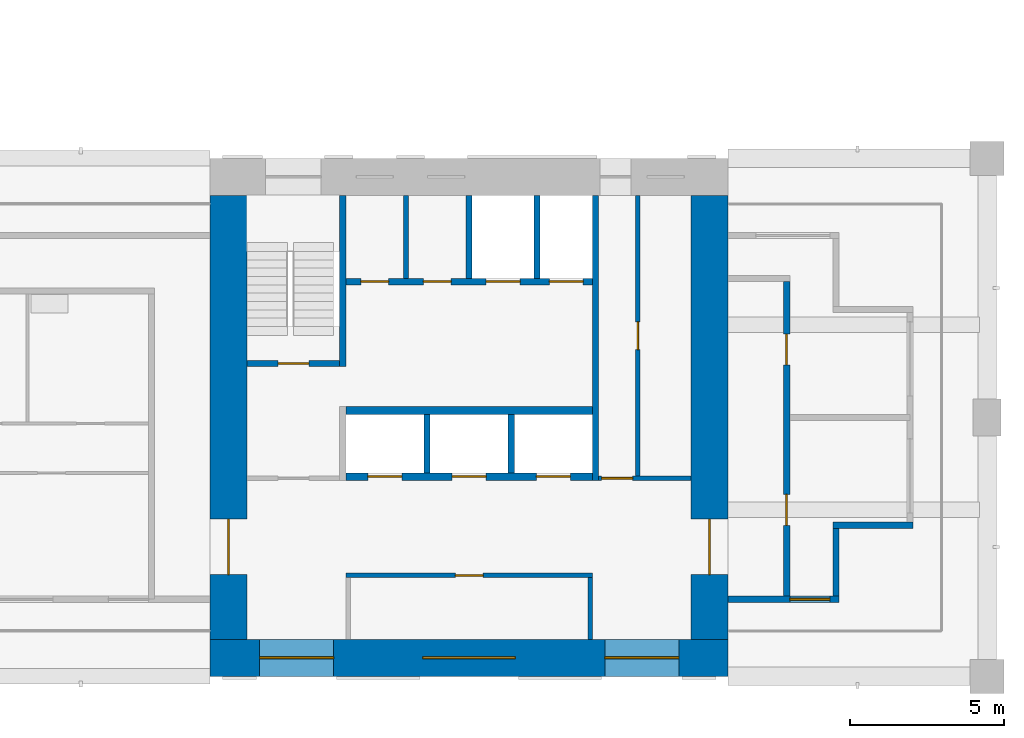
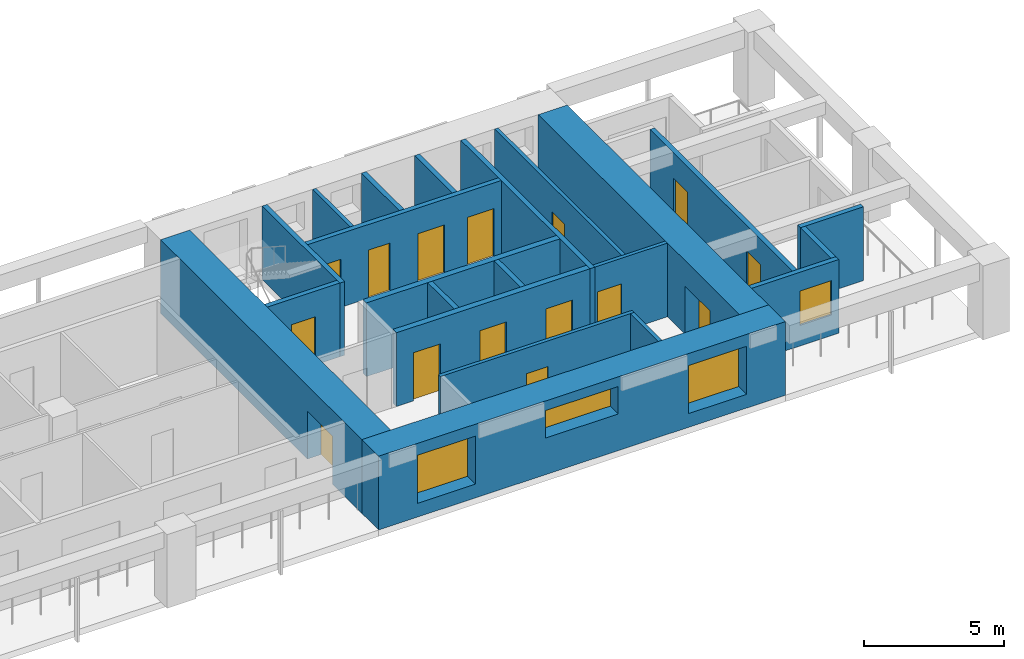
# One storey, part 4 of 10: 22 walls, 15 doors, 4 windows, 19 openings.
"""IFC4 building model written with IfcOpenShell, lengths in metres."""

from ifc_helpers import new_model, si_unit, direction, frame, frame_2d, origin, place, context, subcontext, project, spatial, rectangle, extrude, material, layer, layer_set, type_object, element, fill, save


model = new_model("IFC4")

# Units and contexts
model_context = context("Model", 3, precision=1e-05, world=origin(), true_north=direction((0.0, 1.0)))
body_context = subcontext(model_context, "Body", "Model", "MODEL_VIEW")
ifc_project = project(units=[si_unit("LENGTHUNIT", "METRE"), si_unit("AREAUNIT", "SQUARE_METRE"), si_unit("VOLUMEUNIT", "CUBIC_METRE"), si_unit("PLANEANGLEUNIT", "RADIAN"), si_unit("MASSUNIT", "GRAM", prefix="KILO")], contexts=[model_context])

# Site, building, storey
site_placement = place(None, origin())
site = spatial("IfcSite", under=ifc_project, at=site_placement, CompositionType="ELEMENT")
building_placement = place(site_placement, origin())
building = spatial("IfcBuilding", under=site, at=building_placement, Name="Vermilion Gate Residences", CompositionType="ELEMENT")
storey_placement = place(building_placement, frame((0.0, 0.0, 168.699951171875)))
storey = spatial("IfcBuildingStorey", under=building, at=storey_placement, Name="L43", CompositionType="ELEMENT", Elevation=168.699951171875)

# Wall
ifc_material_1 = material(Name="Masonry blockwork", Category="masonry")
ifc_layer_1 = layer(ifc_material_1, 0.14990234375)
ifc_layer_set_1 = layer_set([ifc_layer_1], Name="BLOCKWORK PARTITION 150 EI 120")
wall_type_1 = type_object("IfcWallType", Name="BLOCKWORK PARTITION 150 EI 120", PredefinedType="PARTITIONING", material=ifc_layer_set_1)
wall_1_placement = place(storey_placement, frame((54.324951171875, 9.60009765625, 0.0), z_axis=(0.0, 0.0, 1.0), x_axis=(0.0, 1.0, 0.0)))
element("IfcWall", 1, at=wall_1_placement, inside=storey, type_object=wall_type_1, Name="Core room partition A43-RW-E", PredefinedType="PARTITIONING", context=body_context, shape_type="SweptSolid", body=[
    extrude(rectangle(XDim=2.0, YDim=0.14990234375, at=frame_2d((1.0, 0.0))), origin(), (0.0, 0.0, 1.0), 3.219970703125),
])

# Wall, opening, door
wall_2_placement = place(storey_placement, frame((46.39990234375, 11.675048828125, 0.0), z_axis=(0.0, 0.0, 1.0), x_axis=(1.0, 0.0, 0.0)))
wall_2 = element("IfcWall", 2, at=wall_2_placement, inside=storey, type_object=wall_type_1, Name="Core room partition A43-LR-F", PredefinedType="PARTITIONING", context=body_context, shape_type="SweptSolid", body=[
    extrude(rectangle(XDim=8.0, YDim=0.14990234375, at=frame_2d((4.0, 0.0))), origin(), (0.0, 0.0, 1.0), 3.219970703125),
])
opening_1_placement = place(wall_2_placement, frame((3.550048828125, 0.0, 0.0)))
opening_1 = element("IfcOpeningElement", 3, at=opening_1_placement, cuts=wall_2, Name="Opening DK43003", PredefinedType="OPENING", context=body_context, shape_type="SweptSolid", body=[
    extrude(rectangle(XDim=0.89990234375, YDim=2.10009765625, at=frame_2d((0.449951171875, 1.050048828125))), frame((0.0, 0.0849609375, 0.0), z_axis=(0.0, -1.0, 0.0), x_axis=(1.0, 0.0, 0.0)), (0.0, 0.0, 1.0), 0.169921875),
])
ifc_material_2 = material(Name="Steel", Category="steel")
door_type_1 = type_object("IfcDoorType", Name="SERVICE ROOM DOOR FD60 900 X 2100", OperationType="SINGLE_SWING_LEFT", PredefinedType="DOOR", material=ifc_material_2)
door_1_placement = place(opening_1_placement, frame((0.89990234375, 0.0, 0.0), z_axis=(0.0, 0.0, 1.0), x_axis=(-1.0, 0.0, 0.0)))
door_1 = element("IfcDoor", 4, at=door_1_placement, inside=storey, type_object=door_type_1, Name="Housekeeping store A43", OperationType="SINGLE_SWING_RIGHT", OverallHeight=2.10009765625, OverallWidth=0.89990234375, PredefinedType="DOOR", context=body_context, shape_type="SweptSolid", body=[
    extrude(rectangle(XDim=0.89990234375, YDim=2.10009765625, at=frame_2d((0.449951171875, 1.050048828125))), frame((0.0, 0.02490234375, 0.0), z_axis=(0.0, -1.0, 0.0), x_axis=(1.0, 0.0, 0.0)), (0.0, 0.0, 1.0), 0.050048828125),
])
fill(opening_1, door_1)

# Wall
wall_3_placement = place(storey_placement, frame((48.35009765625, 21.300048828125, 0.0), z_axis=(0.0, 0.0, 1.0), x_axis=(0.0, 1.0, 0.0)))
element("IfcWall", 5, at=wall_3_placement, inside=storey, type_object=wall_type_1, Name="Core room partition A43-NR-P0", PredefinedType="PARTITIONING", context=body_context, shape_type="SweptSolid", body=[
    extrude(rectangle(XDim=2.699951171875, YDim=0.14990234375, at=frame_2d((1.35009765625, 0.0))), origin(), (0.0, 0.0, 1.0), 3.219970703125),
])

# Wall, opening, door
wall_4_placement = place(storey_placement, frame((54.60009765625, 14.824951171875, 0.0), z_axis=(0.0, 0.0, 1.0), x_axis=(1.0, 0.0, 0.0)))
wall_4 = element("IfcWall", 6, at=wall_4_placement, inside=storey, type_object=wall_type_1, Name="Core room partition A43-ES-S", PredefinedType="PARTITIONING", context=body_context, shape_type="SweptSolid", body=[
    extrude(rectangle(XDim=3.0, YDim=0.14990234375, at=frame_2d((1.5, 0.0))), origin(), (0.0, 0.0, 1.0), 3.219970703125),
])
opening_2_placement = place(wall_4_placement, frame((0.10009765625, 0.0, 0.0)))
opening_2 = element("IfcOpeningElement", 7, at=opening_2_placement, cuts=wall_4, Name="Opening DK43013", PredefinedType="OPENING", context=body_context, shape_type="SweptSolid", body=[
    extrude(rectangle(XDim=1.0, YDim=2.10009765625, at=frame_2d((0.5, 1.050048828125))), frame((0.0, 0.0849609375, 0.0), z_axis=(0.0, -1.0, 0.0), x_axis=(1.0, 0.0, 0.0)), (0.0, 0.0, 1.0), 0.169921875),
])
ifc_material_3 = material(Name="Steel", Category="steel")
door_type_2 = type_object("IfcDoorType", Name="FIRE DOOR FD60 1000 X 2100", OperationType="SINGLE_SWING_LEFT", PredefinedType="DOOR", material=ifc_material_3)
door_2_placement = place(opening_2_placement, frame((1.0, 0.0, 0.0), z_axis=(0.0, 0.0, 1.0), x_axis=(-1.0, 0.0, 0.0)))
door_2 = element("IfcDoor", 8, at=door_2_placement, inside=storey, type_object=door_type_2, Name="Service corridor door A43", OperationType="SINGLE_SWING_LEFT", OverallHeight=2.10009765625, OverallWidth=1.0, PredefinedType="DOOR", context=body_context, shape_type="SweptSolid", body=[
    extrude(rectangle(XDim=1.0, YDim=2.10009765625, at=frame_2d((0.5, 1.050048828125))), frame((0.0, 0.02490234375, 0.0), z_axis=(0.0, -1.0, 0.0), x_axis=(1.0, 0.0, 0.0)), (0.0, 0.0, 1.0), 0.050048828125),
])
fill(opening_2, door_2)

wall_5_placement = place(storey_placement, frame((55.875, 14.89990234375, 0.0), z_axis=(0.0, 0.0, 1.0), x_axis=(0.0, 1.0, 0.0)))
wall_5 = element("IfcWall", 9, at=wall_5_placement, inside=storey, type_object=wall_type_1, Name="Core room partition A43-ES-W", PredefinedType="PARTITIONING", context=body_context, shape_type="SweptSolid", body=[
    extrude(rectangle(XDim=9.10009765625, YDim=0.14990234375, at=frame_2d((4.550048828125, 0.0))), origin(), (0.0, 0.0, 1.0), 3.219970703125),
])
opening_3_placement = place(wall_5_placement, frame((4.10009765625, 0.0, 0.0)))
opening_3 = element("IfcOpeningElement", 10, at=opening_3_placement, cuts=wall_5, Name="Opening DK43014", PredefinedType="OPENING", context=body_context, shape_type="SweptSolid", body=[
    extrude(rectangle(XDim=0.89990234375, YDim=2.10009765625, at=frame_2d((0.449951171875, 1.050048828125))), frame((0.0, 0.0849609375, 0.0), z_axis=(0.0, -1.0, 0.0), x_axis=(1.0, 0.0, 0.0)), (0.0, 0.0, 1.0), 0.169921875),
])
door_3_placement = place(opening_3_placement, frame((0.89990234375, 0.0, 0.0), z_axis=(0.0, 0.0, 1.0), x_axis=(-1.0, 0.0, 0.0)))
door_3 = element("IfcDoor", 11, at=door_3_placement, inside=storey, type_object=door_type_1, Name="Electrical room A43", OperationType="SINGLE_SWING_RIGHT", OverallHeight=2.10009765625, OverallWidth=0.89990234375, PredefinedType="DOOR", context=body_context, shape_type="SweptSolid", body=[
    extrude(rectangle(XDim=0.89990234375, YDim=2.10009765625, at=frame_2d((0.449951171875, 1.050048828125))), frame((0.0, 0.02490234375, 0.0), z_axis=(0.0, -1.0, 0.0), x_axis=(1.0, 0.0, 0.0)), (0.0, 0.0, 1.0), 0.050048828125),
])
fill(opening_3, door_3)

# Wall, opening, window
ifc_material_4 = material(Name="Insulated steel stud wall with terracotta rainscreen", Category="masonry")
ifc_layer_2 = layer(ifc_material_4, 0.199951171875)
ifc_layer_set_2 = layer_set([ifc_layer_2], Name="EXTERNAL WALL 200 TERRACOTTA RAINSCREEN")
wall_type_2 = type_object("IfcWallType", Name="EXTERNAL WALL 200 TERRACOTTA RAINSCREEN", PredefinedType="SOLIDWALL", material=ifc_layer_set_2)
wall_6_placement = place(storey_placement, frame((58.800048828125, 10.89990234375, 0.0), z_axis=(0.0, 0.0, 1.0), x_axis=(1.0, 0.0, 0.0)))
wall_6 = element("IfcWall", 12, at=wall_6_placement, inside=storey, type_object=wall_type_2, Name="External wall", PredefinedType="SOLIDWALL", context=body_context, shape_type="SweptSolid", body=[
    extrude(rectangle(XDim=3.599853515625, YDim=0.199951171875, at=frame_2d((1.7998046875, 0.0))), origin(), (0.0, 0.0, 1.0), 3.219970703125),
])
opening_4_placement = place(wall_6_placement, frame((2.0, 0.0, 0.89990234375)))
opening_4 = element("IfcOpeningElement", 13, at=opening_4_placement, cuts=wall_6, Name="Opening WE43015", PredefinedType="OPENING", context=body_context, shape_type="SweptSolid", body=[
    extrude(rectangle(XDim=1.300048828125, YDim=1.5, at=frame_2d((0.64990234375, 0.75))), frame((0.0, 0.10986328125, 0.0), z_axis=(0.0, -1.0, 0.0), x_axis=(1.0, 0.0, 0.0)), (0.0, 0.0, 1.0), 0.219970703125),
])
ifc_material_5 = material(Name="Aluminium and clear glass", Category="aluminium")
window_type_1 = type_object("IfcWindowType", Name="WINDOW 1300 X 1500", PartitioningType="SINGLE_PANEL", PredefinedType="WINDOW", material=ifc_material_5)
window_1_placement = place(opening_4_placement, origin())
window_1 = element("IfcWindow", 14, at=window_1_placement, inside=storey, type_object=window_type_1, Name="Window", OverallHeight=1.5, OverallWidth=1.300048828125, PartitioningType="SINGLE_PANEL", PredefinedType="WINDOW", context=body_context, shape_type="SweptSolid", body=[
    extrude(rectangle(XDim=1.300048828125, YDim=1.5, at=frame_2d((0.64990234375, 0.75))), frame((0.0, 0.030029296875, 0.0), z_axis=(0.0, -1.0, 0.0), x_axis=(1.0, 0.0, 0.0)), (0.0, 0.0, 1.0), 0.06005859375),
])
fill(opening_4, window_1)

# Walls
wall_7_placement = place(storey_placement, frame((62.300048828125, 11.0, 0.0), z_axis=(0.0, 0.0, 1.0), x_axis=(0.0, 1.0, 0.0)))
element("IfcWall", 15, at=wall_7_placement, inside=storey, type_object=wall_type_2, Name="External wall", PredefinedType="SOLIDWALL", context=body_context, shape_type="SweptSolid", body=[
    extrude(rectangle(XDim=2.199951171875, YDim=0.199951171875, at=frame_2d((1.10009765625, 0.0))), origin(), (0.0, 0.0, 1.0), 3.219970703125),
])
wall_8_placement = place(storey_placement, frame((62.199951171875, 13.300048828125, 0.0), z_axis=(0.0, 0.0, 1.0), x_axis=(1.0, 0.0, 0.0)))
element("IfcWall", 16, at=wall_8_placement, inside=storey, type_object=wall_type_2, Name="External wall", PredefinedType="SOLIDWALL", context=body_context, shape_type="SweptSolid", body=[
    extrude(rectangle(XDim=2.60009765625, YDim=0.199951171875, at=frame_2d((1.300048828125, 0.0))), origin(), (0.0, 0.0, 1.0), 3.219970703125),
])

# Wall, openings, doors
ifc_material_6 = material(Name="Fire-rated plasterboard on steel studs", Category="steel")
ifc_layer_3 = layer(ifc_material_6, 0.199951171875)
ifc_layer_set_3 = layer_set([ifc_layer_3], Name="PARTY WALL 200 EI 120")
wall_type_3 = type_object("IfcWallType", Name="PARTY WALL 200 EI 120", PredefinedType="PARTITIONING", material=ifc_layer_set_3)
wall_9_placement = place(storey_placement, frame((60.699951171875, 10.89990234375, 0.0), z_axis=(0.0, 0.0, 1.0), x_axis=(0.0, 1.0, 0.0)))
wall_9 = element("IfcWall", 17, at=wall_9_placement, inside=storey, type_object=wall_type_3, Name="Party and corridor wall", PredefinedType="PARTITIONING", context=body_context, shape_type="SweptSolid", body=[
    extrude(rectangle(XDim=10.300048828125, YDim=0.199951171875, at=frame_2d((5.14990234375, 0.0))), origin(), (0.0, 0.0, 1.0), 3.219970703125),
])
opening_5_placement = place(wall_9_placement, frame((2.39990234375, 0.0, 0.0)))
opening_5 = element("IfcOpeningElement", 18, at=opening_5_placement, cuts=wall_9, Name="Opening DA43026", PredefinedType="OPENING", context=body_context, shape_type="SweptSolid", body=[
    extrude(rectangle(XDim=1.0, YDim=2.10009765625, at=frame_2d((0.5, 1.050048828125))), frame((0.0, 0.10986328125, 0.0), z_axis=(0.0, -1.0, 0.0), x_axis=(1.0, 0.0, 0.0)), (0.0, 0.0, 1.0), 0.219970703125),
])
opening_6_placement = place(wall_9_placement, frame((7.60009765625, 0.0, 0.0)))
opening_6 = element("IfcOpeningElement", 19, at=opening_6_placement, cuts=wall_9, Name="Opening DA43027", PredefinedType="OPENING", context=body_context, shape_type="SweptSolid", body=[
    extrude(rectangle(XDim=1.0, YDim=2.10009765625, at=frame_2d((0.5, 1.050048828125))), frame((0.0, 0.10986328125, 0.0), z_axis=(0.0, -1.0, 0.0), x_axis=(1.0, 0.0, 0.0)), (0.0, 0.0, 1.0), 0.219970703125),
])
ifc_material_7 = material(Name="Steel", Category="steel")
door_type_3 = type_object("IfcDoorType", Name="ENTRANCE DOOR 1000 X 2100 FD30", OperationType="SINGLE_SWING_LEFT", PredefinedType="DOOR", material=ifc_material_7)
door_4_placement = place(opening_5_placement, frame((1.0, 0.0, 0.0), z_axis=(0.0, 0.0, 1.0), x_axis=(-1.0, 0.0, 0.0)))
door_4 = element("IfcDoor", 20, at=door_4_placement, inside=storey, type_object=door_type_3, Name="Entrance door", OperationType="SINGLE_SWING_RIGHT", OverallHeight=2.10009765625, OverallWidth=1.0, PredefinedType="DOOR", context=body_context, shape_type="SweptSolid", body=[
    extrude(rectangle(XDim=1.0, YDim=2.10009765625, at=frame_2d((0.5, 1.050048828125))), frame((0.0, 0.02490234375, 0.0), z_axis=(0.0, -1.0, 0.0), x_axis=(1.0, 0.0, 0.0)), (0.0, 0.0, 1.0), 0.050048828125),
])
fill(opening_5, door_4)
door_5_placement = place(opening_6_placement, frame((1.0, 0.0, 0.0), z_axis=(0.0, 0.0, 1.0), x_axis=(-1.0, 0.0, 0.0)))
door_5 = element("IfcDoor", 21, at=door_5_placement, inside=storey, type_object=door_type_3, Name="Entrance door", OperationType="SINGLE_SWING_RIGHT", OverallHeight=2.10009765625, OverallWidth=1.0, PredefinedType="DOOR", context=body_context, shape_type="SweptSolid", body=[
    extrude(rectangle(XDim=1.0, YDim=2.10009765625, at=frame_2d((0.5, 1.050048828125))), frame((0.0, 0.02490234375, 0.0), z_axis=(0.0, -1.0, 0.0), x_axis=(1.0, 0.0, 0.0)), (0.0, 0.0, 1.0), 0.050048828125),
])
fill(opening_6, door_5)

# Walls
ifc_material_8 = material(Name="Concrete C60", Category="concrete")
ifc_layer_4 = layer(ifc_material_8, 0.199951171875)
ifc_layer_set_4 = layer_set([ifc_layer_4], Name="RC CORE INTERNAL WALL 200 C60")
wall_type_4 = type_object("IfcWallType", Name="RC CORE INTERNAL WALL 200 C60", PredefinedType="SHEAR", material=ifc_layer_set_4)
for number, where, z_axis, x_axis, name in (
    (22, (49.033447265625, 15.0, 0.0), (0.0, 0.0, 1.0), (0.0, 1.0, 0.0), "Core internal wall A43-HR-D1"),
    (23, (51.7666015625, 15.0, 0.0), (0.0, 0.0, 1.0), (0.0, 1.0, 0.0), "Core internal wall A43-HR-D2"),
):
    element("IfcWall", number, at=place(storey_placement, frame(where, z_axis=z_axis, x_axis=x_axis)), inside=storey, type_object=wall_type_4, Name=name, PredefinedType="SHEAR", context=body_context, shape_type="SweptSolid", body=[
        extrude(rectangle(XDim=1.89990234375, YDim=0.199951171875, at=frame_2d((0.949951171875, 0.0))), origin(), (0.0, 0.0, 1.0), 3.219970703125),
    ])
for number, where, z_axis, x_axis, name in (
    (24, (50.39990234375, 21.300048828125, 0.0), (0.0, 0.0, 1.0), (0.0, 1.0, 0.0), "Core internal wall A43-FF-D0"),
    (25, (52.60009765625, 21.300048828125, 0.0), (0.0, 0.0, 1.0), (0.0, 1.0, 0.0), "Core internal wall A43-FF-D1"),
):
    element("IfcWall", number, at=place(storey_placement, frame(where, z_axis=z_axis, x_axis=x_axis)), inside=storey, type_object=wall_type_4, Name=name, PredefinedType="SHEAR", context=body_context, shape_type="SweptSolid", body=[
        extrude(rectangle(XDim=2.699951171875, YDim=0.199951171875, at=frame_2d((1.35009765625, 0.0))), origin(), (0.0, 0.0, 1.0), 3.219970703125),
    ])

# Wall, openings, doors
wall_10_placement = place(storey_placement, frame((46.39990234375, 21.199951171875, 0.0), z_axis=(0.0, 0.0, 1.0), x_axis=(1.0, 0.0, 0.0)))
wall_10 = element("IfcWall", 26, at=wall_10_placement, inside=storey, type_object=wall_type_4, Name="Core internal wall A43-FF-F", PredefinedType="SHEAR", context=body_context, shape_type="SweptSolid", body=[
    extrude(rectangle(XDim=8.0, YDim=0.199951171875, at=frame_2d((4.0, 0.0))), origin(), (0.0, 0.0, 1.0), 3.219970703125),
])
opening_7_placement = place(wall_10_placement, frame((0.487548828125, 0.0, 0.0)))
opening_7 = element("IfcOpeningElement", 27, at=opening_7_placement, cuts=wall_10, Name="Opening DK43007", PredefinedType="OPENING", context=body_context, shape_type="SweptSolid", body=[
    extrude(rectangle(XDim=0.89990234375, YDim=2.10009765625, at=frame_2d((0.449951171875, 1.050048828125))), frame((0.0, 0.10986328125, 0.0), z_axis=(0.0, -1.0, 0.0), x_axis=(1.0, 0.0, 0.0)), (0.0, 0.0, 1.0), 0.219970703125),
])
opening_8_placement = place(wall_10_placement, frame((2.512451171875, 0.0, 0.0)))
opening_8 = element("IfcOpeningElement", 28, at=opening_8_placement, cuts=wall_10, Name="Opening DK43008", PredefinedType="OPENING", context=body_context, shape_type="SweptSolid", body=[
    extrude(rectangle(XDim=0.89990234375, YDim=2.10009765625, at=frame_2d((0.449951171875, 1.050048828125))), frame((0.0, 0.10986328125, 0.0), z_axis=(0.0, -1.0, 0.0), x_axis=(1.0, 0.0, 0.0)), (0.0, 0.0, 1.0), 0.219970703125),
])
opening_9_placement = place(wall_10_placement, frame((4.550048828125, 0.0, 0.0)))
opening_9 = element("IfcOpeningElement", 29, at=opening_9_placement, cuts=wall_10, Name="Opening LD", PredefinedType="OPENING", context=body_context, shape_type="SweptSolid", body=[
    extrude(rectangle(XDim=1.10009765625, YDim=2.10009765625, at=frame_2d((0.550048828125, 1.050048828125))), frame((0.0, 0.10986328125, 0.0), z_axis=(0.0, -1.0, 0.0), x_axis=(1.0, 0.0, 0.0)), (0.0, 0.0, 1.0), 0.219970703125),
])
opening_10_placement = place(wall_10_placement, frame((6.60009765625, 0.0, 0.0)))
opening_10 = element("IfcOpeningElement", 30, at=opening_10_placement, cuts=wall_10, Name="Opening LD", PredefinedType="OPENING", context=body_context, shape_type="SweptSolid", body=[
    extrude(rectangle(XDim=1.10009765625, YDim=2.10009765625, at=frame_2d((0.550048828125, 1.050048828125))), frame((0.0, 0.10986328125, 0.0), z_axis=(0.0, -1.0, 0.0), x_axis=(1.0, 0.0, 0.0)), (0.0, 0.0, 1.0), 0.219970703125),
])
ifc_material_9 = material(Name="Stainless steel", Category="steel")
door_type_4 = type_object("IfcDoorType", Name="LIFT LANDING DOOR E60 1100 X 2100", OperationType="DOUBLE_DOOR_SLIDING", PredefinedType="DOOR", material=ifc_material_9)
door_6_placement = place(opening_9_placement, origin())
door_6 = element("IfcDoor", 31, at=door_6_placement, inside=storey, type_object=door_type_4, Name="Lift landing door LFA1", OperationType="DOUBLE_DOOR_SLIDING", OverallHeight=2.10009765625, OverallWidth=1.10009765625, PredefinedType="DOOR", context=body_context, shape_type="SweptSolid", body=[
    extrude(rectangle(XDim=1.10009765625, YDim=2.10009765625, at=frame_2d((0.550048828125, 1.050048828125))), frame((0.0, 0.02490234375, 0.0), z_axis=(0.0, -1.0, 0.0), x_axis=(1.0, 0.0, 0.0)), (0.0, 0.0, 1.0), 0.050048828125),
])
fill(opening_9, door_6)
door_7_placement = place(opening_10_placement, origin())
door_7 = element("IfcDoor", 32, at=door_7_placement, inside=storey, type_object=door_type_4, Name="Lift landing door LCA1", OperationType="DOUBLE_DOOR_SLIDING", OverallHeight=2.10009765625, OverallWidth=1.10009765625, PredefinedType="DOOR", context=body_context, shape_type="SweptSolid", body=[
    extrude(rectangle(XDim=1.10009765625, YDim=2.10009765625, at=frame_2d((0.550048828125, 1.050048828125))), frame((0.0, 0.02490234375, 0.0), z_axis=(0.0, -1.0, 0.0), x_axis=(1.0, 0.0, 0.0)), (0.0, 0.0, 1.0), 0.050048828125),
])
fill(opening_10, door_7)
door_8_placement = place(opening_7_placement, origin())
door_8 = element("IfcDoor", 33, at=door_8_placement, inside=storey, type_object=door_type_1, Name="Parcel room A43", OperationType="SINGLE_SWING_LEFT", OverallHeight=2.10009765625, OverallWidth=0.89990234375, PredefinedType="DOOR", context=body_context, shape_type="SweptSolid", body=[
    extrude(rectangle(XDim=0.89990234375, YDim=2.10009765625, at=frame_2d((0.449951171875, 1.050048828125))), frame((0.0, 0.02490234375, 0.0), z_axis=(0.0, -1.0, 0.0), x_axis=(1.0, 0.0, 0.0)), (0.0, 0.0, 1.0), 0.050048828125),
])
fill(opening_7, door_8)
door_9_placement = place(opening_8_placement, frame((0.89990234375, 0.0, 0.0), z_axis=(0.0, 0.0, 1.0), x_axis=(-1.0, 0.0, 0.0)))
door_9 = element("IfcDoor", 34, at=door_9_placement, inside=storey, type_object=door_type_1, Name="Electrical room A43", OperationType="SINGLE_SWING_RIGHT", OverallHeight=2.10009765625, OverallWidth=0.89990234375, PredefinedType="DOOR", context=body_context, shape_type="SweptSolid", body=[
    extrude(rectangle(XDim=0.89990234375, YDim=2.10009765625, at=frame_2d((0.449951171875, 1.050048828125))), frame((0.0, 0.02490234375, 0.0), z_axis=(0.0, -1.0, 0.0), x_axis=(1.0, 0.0, 0.0)), (0.0, 0.0, 1.0), 0.050048828125),
])
fill(opening_8, door_9)

# Wall
wall_11_placement = place(storey_placement, frame((46.300048828125, 18.449951171875, 0.0), z_axis=(0.0, 0.0, 1.0), x_axis=(0.0, 1.0, 0.0)))
element("IfcWall", 35, at=wall_11_placement, inside=storey, type_object=wall_type_4, Name="Core internal wall A43-WDIV2", PredefinedType="SHEAR", context=body_context, shape_type="SweptSolid", body=[
    extrude(rectangle(XDim=5.550048828125, YDim=0.199951171875, at=frame_2d((2.77490234375, 0.0))), origin(), (0.0, 0.0, 1.0), 3.219970703125),
])

# Wall, opening, door
wall_12_placement = place(storey_placement, frame((43.199951171875, 18.550048828125, 0.0), z_axis=(0.0, 0.0, 1.0), x_axis=(1.0, 0.0, 0.0)))
wall_12 = element("IfcWall", 36, at=wall_12_placement, inside=storey, type_object=wall_type_4, Name="Core internal wall A43-STW-S", PredefinedType="SHEAR", context=body_context, shape_type="SweptSolid", body=[
    extrude(rectangle(XDim=3.0, YDim=0.199951171875, at=frame_2d((1.5, 0.0))), origin(), (0.0, 0.0, 1.0), 3.219970703125),
])
opening_11_placement = place(wall_12_placement, frame((1.0, 0.0, 0.0)))
opening_11 = element("IfcOpeningElement", 37, at=opening_11_placement, cuts=wall_12, Name="Opening DK43012", PredefinedType="OPENING", context=body_context, shape_type="SweptSolid", body=[
    extrude(rectangle(XDim=1.0, YDim=2.10009765625, at=frame_2d((0.5, 1.050048828125))), frame((0.0, 0.10986328125, 0.0), z_axis=(0.0, -1.0, 0.0), x_axis=(1.0, 0.0, 0.0)), (0.0, 0.0, 1.0), 0.219970703125),
])
door_10_placement = place(opening_11_placement, origin())
door_10 = element("IfcDoor", 38, at=door_10_placement, inside=storey, type_object=door_type_2, Name="Stair door A43", OperationType="SINGLE_SWING_LEFT", OverallHeight=2.10009765625, OverallWidth=1.0, PredefinedType="DOOR", context=body_context, shape_type="SweptSolid", body=[
    extrude(rectangle(XDim=1.0, YDim=2.10009765625, at=frame_2d((0.5, 1.050048828125))), frame((0.0, 0.02490234375, 0.0), z_axis=(0.0, -1.0, 0.0), x_axis=(1.0, 0.0, 0.0)), (0.0, 0.0, 1.0), 0.050048828125),
])
fill(opening_11, door_10)

# Wall
wall_13_placement = place(storey_placement, frame((54.5, 14.75, 0.0), z_axis=(0.0, 0.0, 1.0), x_axis=(0.0, 1.0, 0.0)))
element("IfcWall", 39, at=wall_13_placement, inside=storey, type_object=wall_type_4, Name="Core internal wall A43-EDIV", PredefinedType="SHEAR", context=body_context, shape_type="SweptSolid", body=[
    extrude(rectangle(XDim=9.25, YDim=0.199951171875, at=frame_2d((4.625, 0.0))), origin(), (0.0, 0.0, 1.0), 3.219970703125),
])

# Wall, opening, door
ifc_material_10 = material(Name="Concrete C60", Category="concrete")
ifc_layer_5 = layer(ifc_material_10, 1.199951171875)
ifc_layer_set_5 = layer_set([ifc_layer_5], Name="RC CORE WALL 1200 C60")
wall_type_5 = type_object("IfcWallType", Name="RC CORE WALL 1200 C60", PredefinedType="SHEAR", material=ifc_layer_set_5)
wall_14_placement = place(storey_placement, frame((42.60009765625, 9.60009765625, 0.0), z_axis=(0.0, 0.0, 1.0), x_axis=(0.0, 1.0, 0.0)))
wall_14 = element("IfcWall", 40, at=wall_14_placement, inside=storey, type_object=wall_type_5, Name="Core wall A43-OUT-FR", PredefinedType="SHEAR", context=body_context, shape_type="SweptSolid", body=[
    extrude(rectangle(XDim=14.39990234375, YDim=1.199951171875, at=frame_2d((7.199951171875, 0.0))), origin(), (0.0, 0.0, 1.0), 3.219970703125),
])
opening_12_placement = place(wall_14_placement, frame((2.10009765625, 0.0, 0.0)))
opening_12 = element("IfcOpeningElement", 41, at=opening_12_placement, cuts=wall_14, Name="Opening DK43001", PredefinedType="OPENING", context=body_context, shape_type="SweptSolid", body=[
    extrude(rectangle(XDim=1.800048828125, YDim=2.10009765625, at=frame_2d((0.89990234375, 1.050048828125))), frame((0.0, 0.60986328125, 0.0), z_axis=(0.0, -1.0, 0.0), x_axis=(1.0, 0.0, 0.0)), (0.0, 0.0, 1.0), 1.219970703125),
])
ifc_material_11 = material(Name="Steel", Category="steel")
door_type_5 = type_object("IfcDoorType", Name="CORE LOBBY DOOR FD60 1800 X 2100", OperationType="DOUBLE_DOOR_SINGLE_SWING", PredefinedType="DOOR", material=ifc_material_11)
door_11_placement = place(opening_12_placement, frame((1.800048828125, 0.0, 0.0), z_axis=(0.0, 0.0, 1.0), x_axis=(-1.0, 0.0, 0.0)))
door_11 = element("IfcDoor", 42, at=door_11_placement, inside=storey, type_object=door_type_5, Name="Core lobby door A43", OperationType="DOUBLE_DOOR_SINGLE_SWING", OverallHeight=2.10009765625, OverallWidth=1.800048828125, PredefinedType="DOOR", context=body_context, shape_type="SweptSolid", body=[
    extrude(rectangle(XDim=1.800048828125, YDim=2.10009765625, at=frame_2d((0.89990234375, 1.050048828125))), frame((0.0, 0.02490234375, 0.0), z_axis=(0.0, -1.0, 0.0), x_axis=(1.0, 0.0, 0.0)), (0.0, 0.0, 1.0), 0.050048828125),
])
fill(opening_12, door_11)

wall_15_placement = place(storey_placement, frame((58.199951171875, 9.60009765625, 0.0), z_axis=(0.0, 0.0, 1.0), x_axis=(0.0, 1.0, 0.0)))
wall_15 = element("IfcWall", 43, at=wall_15_placement, inside=storey, type_object=wall_type_5, Name="Core wall A43-OUT-BK", PredefinedType="SHEAR", context=body_context, shape_type="SweptSolid", body=[
    extrude(rectangle(XDim=14.39990234375, YDim=1.199951171875, at=frame_2d((7.199951171875, 0.0))), origin(), (0.0, 0.0, 1.0), 3.219970703125),
])
opening_13_placement = place(wall_15_placement, frame((2.10009765625, 0.0, 0.0)))
opening_13 = element("IfcOpeningElement", 44, at=opening_13_placement, cuts=wall_15, Name="Opening DK43002", PredefinedType="OPENING", context=body_context, shape_type="SweptSolid", body=[
    extrude(rectangle(XDim=1.800048828125, YDim=2.10009765625, at=frame_2d((0.89990234375, 1.050048828125))), frame((0.0, 0.60986328125, 0.0), z_axis=(0.0, -1.0, 0.0), x_axis=(1.0, 0.0, 0.0)), (0.0, 0.0, 1.0), 1.219970703125),
])
door_12_placement = place(opening_13_placement, origin())
door_12 = element("IfcDoor", 45, at=door_12_placement, inside=storey, type_object=door_type_5, Name="Core lobby door A43", OperationType="DOUBLE_DOOR_SINGLE_SWING", OverallHeight=2.10009765625, OverallWidth=1.800048828125, PredefinedType="DOOR", context=body_context, shape_type="SweptSolid", body=[
    extrude(rectangle(XDim=1.800048828125, YDim=2.10009765625, at=frame_2d((0.89990234375, 1.050048828125))), frame((0.0, 0.02490234375, 0.0), z_axis=(0.0, -1.0, 0.0), x_axis=(1.0, 0.0, 0.0)), (0.0, 0.0, 1.0), 0.050048828125),
])
fill(opening_13, door_12)

# Wall, openings, windows
ifc_material_12 = material(Name="Concrete C60 red-oxide pigmented", Category="concrete")
ifc_layer_6 = layer(ifc_material_12, 1.199951171875)
ifc_layer_set_6 = layer_set([ifc_layer_6], Name="RC CORE WALL 1200 C60 RED OXIDE")
wall_type_6 = type_object("IfcWallType", Name="RC CORE WALL 1200 C60 RED OXIDE", PredefinedType="SHEAR", material=ifc_layer_set_6)
wall_16_placement = place(storey_placement, frame((42.0, 9.0, 0.0), z_axis=(0.0, 0.0, 1.0), x_axis=(1.0, 0.0, 0.0)))
wall_16 = element("IfcWall", 46, at=wall_16_placement, inside=storey, type_object=wall_type_6, Name="Core wall A43-OUT-B0", PredefinedType="SHEAR", context=body_context, shape_type="SweptSolid", body=[
    extrude(rectangle(XDim=16.800048828125, YDim=1.199951171875, at=frame_2d((8.39990234375, 0.0))), origin(), (0.0, 0.0, 1.0), 3.219970703125),
])
opening_14_placement = place(wall_16_placement, frame((1.60009765625, 0.0, 0.60009765625)))
opening_14 = element("IfcOpeningElement", 47, at=opening_14_placement, cuts=wall_16, Name="Opening WKA4301", PredefinedType="OPENING", context=body_context, shape_type="SweptSolid", body=[
    extrude(rectangle(XDim=2.39990234375, YDim=2.10009765625, at=frame_2d((1.199951171875, 1.050048828125))), frame((0.0, 0.60986328125, 0.0), z_axis=(0.0, -1.0, 0.0), x_axis=(1.0, 0.0, 0.0)), (0.0, 0.0, 1.0), 1.219970703125),
])
opening_15_placement = place(wall_16_placement, frame((6.89990234375, 0.0, 1.60009765625)))
opening_15 = element("IfcOpeningElement", 48, at=opening_15_placement, cuts=wall_16, Name="Opening WKA4302", PredefinedType="OPENING", context=body_context, shape_type="SweptSolid", body=[
    extrude(rectangle(XDim=3.0, YDim=1.199951171875, at=frame_2d((1.5, 0.60009765625))), frame((0.0, 0.60986328125, 0.0), z_axis=(0.0, -1.0, 0.0), x_axis=(1.0, 0.0, 0.0)), (0.0, 0.0, 1.0), 1.219970703125),
])
opening_16_placement = place(wall_16_placement, frame((12.800048828125, 0.0, 0.60009765625)))
opening_16 = element("IfcOpeningElement", 49, at=opening_16_placement, cuts=wall_16, Name="Opening WKA4303", PredefinedType="OPENING", context=body_context, shape_type="SweptSolid", body=[
    extrude(rectangle(XDim=2.39990234375, YDim=2.10009765625, at=frame_2d((1.199951171875, 1.050048828125))), frame((0.0, 0.60986328125, 0.0), z_axis=(0.0, -1.0, 0.0), x_axis=(1.0, 0.0, 0.0)), (0.0, 0.0, 1.0), 1.219970703125),
])
ifc_material_13 = material(Name="Aluminium and clear glass", Category="aluminium")
window_type_2 = type_object("IfcWindowType", Name="CORE LOBBY WINDOW 2400 X 2100", PartitioningType="SINGLE_PANEL", PredefinedType="WINDOW", material=ifc_material_13)
window_2_placement = place(opening_14_placement, origin())
window_2 = element("IfcWindow", 50, at=window_2_placement, inside=storey, type_object=window_type_2, Name="Core lobby window", OverallHeight=2.10009765625, OverallWidth=2.39990234375, PartitioningType="SINGLE_PANEL", PredefinedType="WINDOW", context=body_context, shape_type="SweptSolid", body=[
    extrude(rectangle(XDim=2.39990234375, YDim=2.10009765625, at=frame_2d((1.199951171875, 1.050048828125))), frame((0.0, 0.030029296875, 0.0), z_axis=(0.0, -1.0, 0.0), x_axis=(1.0, 0.0, 0.0)), (0.0, 0.0, 1.0), 0.06005859375),
])
fill(opening_14, window_2)
window_3_placement = place(opening_16_placement, origin())
window_3 = element("IfcWindow", 51, at=window_3_placement, inside=storey, type_object=window_type_2, Name="Core lobby window", OverallHeight=2.10009765625, OverallWidth=2.39990234375, PartitioningType="SINGLE_PANEL", PredefinedType="WINDOW", context=body_context, shape_type="SweptSolid", body=[
    extrude(rectangle(XDim=2.39990234375, YDim=2.10009765625, at=frame_2d((1.199951171875, 1.050048828125))), frame((0.0, 0.030029296875, 0.0), z_axis=(0.0, -1.0, 0.0), x_axis=(1.0, 0.0, 0.0)), (0.0, 0.0, 1.0), 0.06005859375),
])
fill(opening_16, window_3)
ifc_material_14 = material(Name="Aluminium frame with louvre blades", Category="aluminium")
window_type_3 = type_object("IfcWindowType", Name="CORE LOUVRE 3000 X 1200", PartitioningType="SINGLE_PANEL", PredefinedType="WINDOW", material=ifc_material_14)
window_4_placement = place(opening_15_placement, origin())
window_4 = element("IfcWindow", 52, at=window_4_placement, inside=storey, type_object=window_type_3, Name="Core louvre", OverallHeight=1.199951171875, OverallWidth=3.0, PartitioningType="SINGLE_PANEL", PredefinedType="WINDOW", context=body_context, shape_type="SweptSolid", body=[
    extrude(rectangle(XDim=3.0, YDim=1.199951171875, at=frame_2d((1.5, 0.60009765625))), frame((0.0, 0.030029296875, 0.0), z_axis=(0.0, -1.0, 0.0), x_axis=(1.0, 0.0, 0.0)), (0.0, 0.0, 1.0), 0.06005859375),
])
fill(opening_15, window_4)

# Wall, openings, doors
ifc_material_15 = material(Name="Concrete C60", Category="concrete")
ifc_layer_7 = layer(ifc_material_15, 0.25)
ifc_layer_set_7 = layer_set([ifc_layer_7], Name="RC LIFT SHAFT WALL 250 C60")
wall_type_7 = type_object("IfcWallType", Name="RC LIFT SHAFT WALL 250 C60", PredefinedType="SHEAR", material=ifc_layer_set_7)
wall_17_placement = place(storey_placement, frame((46.39990234375, 14.875, 0.0), z_axis=(0.0, 0.0, 1.0), x_axis=(1.0, 0.0, 0.0)))
wall_17 = element("IfcWall", 53, at=wall_17_placement, inside=storey, type_object=wall_type_7, Name="Lift shaft wall A43-HR-F", PredefinedType="SHEAR", context=body_context, shape_type="SweptSolid", body=[
    extrude(rectangle(XDim=8.0, YDim=0.25, at=frame_2d((4.0, 0.0))), origin(), (0.0, 0.0, 1.0), 3.219970703125),
])
opening_17_placement = place(wall_17_placement, frame((0.716552734375, 0.0, 0.0)))
opening_17 = element("IfcOpeningElement", 54, at=opening_17_placement, cuts=wall_17, Name="Opening LD", PredefinedType="OPENING", context=body_context, shape_type="SweptSolid", body=[
    extrude(rectangle(XDim=1.10009765625, YDim=2.10009765625, at=frame_2d((0.550048828125, 1.050048828125))), frame((0.0, 0.135009765625, 0.0), z_axis=(0.0, -1.0, 0.0), x_axis=(1.0, 0.0, 0.0)), (0.0, 0.0, 1.0), 0.27001953125),
])
opening_18_placement = place(wall_17_placement, frame((3.449951171875, 0.0, 0.0)))
opening_18 = element("IfcOpeningElement", 55, at=opening_18_placement, cuts=wall_17, Name="Opening LD", PredefinedType="OPENING", context=body_context, shape_type="SweptSolid", body=[
    extrude(rectangle(XDim=1.10009765625, YDim=2.10009765625, at=frame_2d((0.550048828125, 1.050048828125))), frame((0.0, 0.135009765625, 0.0), z_axis=(0.0, -1.0, 0.0), x_axis=(1.0, 0.0, 0.0)), (0.0, 0.0, 1.0), 0.27001953125),
])
opening_19_placement = place(wall_17_placement, frame((6.183349609375, 0.0, 0.0)))
opening_19 = element("IfcOpeningElement", 56, at=opening_19_placement, cuts=wall_17, Name="Opening LD", PredefinedType="OPENING", context=body_context, shape_type="SweptSolid", body=[
    extrude(rectangle(XDim=1.10009765625, YDim=2.10009765625, at=frame_2d((0.550048828125, 1.050048828125))), frame((0.0, 0.135009765625, 0.0), z_axis=(0.0, -1.0, 0.0), x_axis=(1.0, 0.0, 0.0)), (0.0, 0.0, 1.0), 0.27001953125),
])
door_13_placement = place(opening_17_placement, origin())
door_13 = element("IfcDoor", 57, at=door_13_placement, inside=storey, type_object=door_type_4, Name="Lift landing door HRA1", OperationType="DOUBLE_DOOR_SLIDING", OverallHeight=2.10009765625, OverallWidth=1.10009765625, PredefinedType="DOOR", context=body_context, shape_type="SweptSolid", body=[
    extrude(rectangle(XDim=1.10009765625, YDim=2.10009765625, at=frame_2d((0.550048828125, 1.050048828125))), frame((0.0, 0.02490234375, 0.0), z_axis=(0.0, -1.0, 0.0), x_axis=(1.0, 0.0, 0.0)), (0.0, 0.0, 1.0), 0.050048828125),
])
fill(opening_17, door_13)
door_14_placement = place(opening_18_placement, origin())
door_14 = element("IfcDoor", 58, at=door_14_placement, inside=storey, type_object=door_type_4, Name="Lift landing door HRA2", OperationType="DOUBLE_DOOR_SLIDING", OverallHeight=2.10009765625, OverallWidth=1.10009765625, PredefinedType="DOOR", context=body_context, shape_type="SweptSolid", body=[
    extrude(rectangle(XDim=1.10009765625, YDim=2.10009765625, at=frame_2d((0.550048828125, 1.050048828125))), frame((0.0, 0.02490234375, 0.0), z_axis=(0.0, -1.0, 0.0), x_axis=(1.0, 0.0, 0.0)), (0.0, 0.0, 1.0), 0.050048828125),
])
fill(opening_18, door_14)
door_15_placement = place(opening_19_placement, origin())
door_15 = element("IfcDoor", 59, at=door_15_placement, inside=storey, type_object=door_type_4, Name="Lift landing door HRA3", OperationType="DOUBLE_DOOR_SLIDING", OverallHeight=2.10009765625, OverallWidth=1.10009765625, PredefinedType="DOOR", context=body_context, shape_type="SweptSolid", body=[
    extrude(rectangle(XDim=1.10009765625, YDim=2.10009765625, at=frame_2d((0.550048828125, 1.050048828125))), frame((0.0, 0.02490234375, 0.0), z_axis=(0.0, -1.0, 0.0), x_axis=(1.0, 0.0, 0.0)), (0.0, 0.0, 1.0), 0.050048828125),
])
fill(opening_19, door_15)

# Wall
wall_18_placement = place(storey_placement, frame((46.39990234375, 17.02490234375, 0.0), z_axis=(0.0, 0.0, 1.0), x_axis=(1.0, 0.0, 0.0)))
element("IfcWall", 60, at=wall_18_placement, inside=storey, type_object=wall_type_7, Name="Lift shaft wall A43-HR-B", PredefinedType="SHEAR", context=body_context, shape_type="SweptSolid", body=[
    extrude(rectangle(XDim=8.0, YDim=0.25, at=frame_2d((4.0, 0.0))), origin(), (0.0, 0.0, 1.0), 3.219970703125),
])

save(model, "model.ifc")
